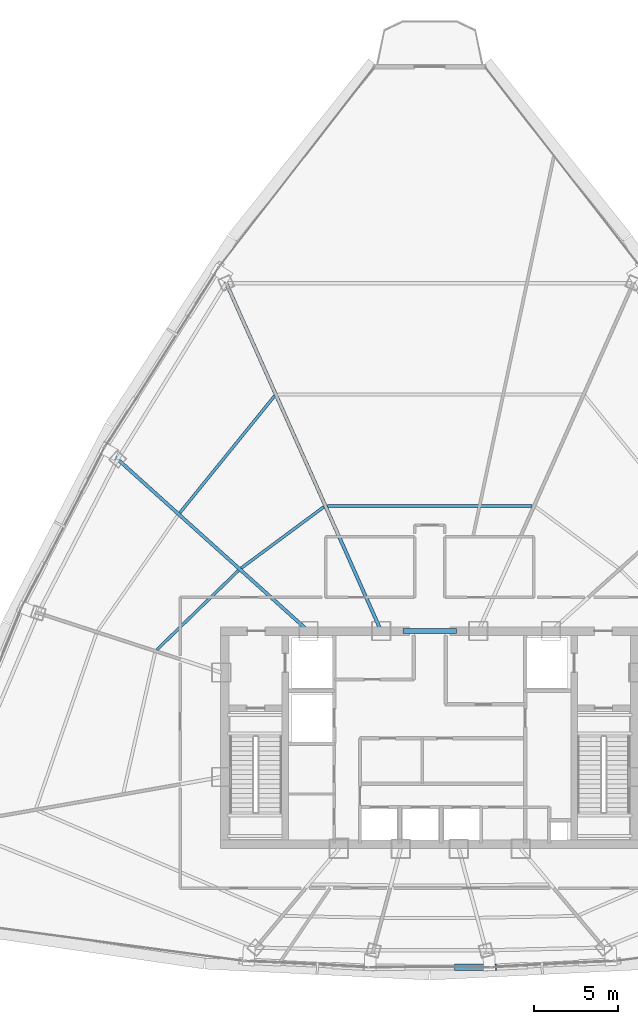
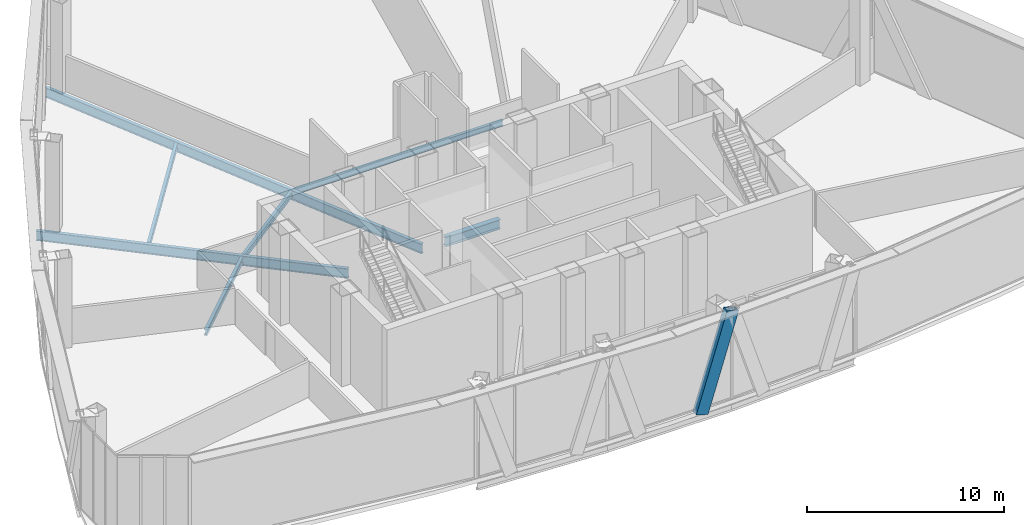
# One storey, part 11 of 33: 7 beams, 1 member.
"""IFC4 building model written with IfcOpenShell, lengths in metres."""

from ifc_helpers import new_model, si_unit, direction, frame, origin, origin_2d, place, context, subcontext, project, spatial, hollow_rectangle, i_section, extrude, source, transform, mapped, material, material_profile, profile_set, type_object, element, save


model = new_model("IFC4")

# Units and contexts
model_context = context("Model", 3, precision=1e-05, world=origin(), true_north=direction((0.0, 1.0)))
body_context = subcontext(model_context, "Body", "Model", "MODEL_VIEW")
ifc_project = project(units=[si_unit("LENGTHUNIT", "METRE"), si_unit("AREAUNIT", "SQUARE_METRE"), si_unit("VOLUMEUNIT", "CUBIC_METRE"), si_unit("PLANEANGLEUNIT", "RADIAN"), si_unit("MASSUNIT", "GRAM", prefix="KILO"), si_unit("THERMODYNAMICTEMPERATUREUNIT", "KELVIN"), si_unit("POWERUNIT", "WATT")], contexts=[model_context])

# Site, building, storey
site_placement = place(None, origin())
site = spatial("IfcSite", under=ifc_project, at=site_placement, CompositionType="ELEMENT")
building_placement = place(site_placement, origin())
building = spatial("IfcBuilding", under=site, at=building_placement, Name="Yunzhuo Pagoda Commons", CompositionType="ELEMENT")
storey_placement = place(building_placement, frame((0.0, 0.0, 314.860107421875)))
storey = spatial("IfcBuildingStorey", under=building, at=storey_placement, Name="L79", CompositionType="ELEMENT", Elevation=314.860107421875)

# Beams
ifc_material_1 = material(Name="Structural steel Q420B", Category="steel")
ifc_material_profile_1 = material_profile(ifc_material_1, i_section(OverallWidth=0.300048828125, OverallDepth=0.587890625, WebThickness=0.011962890625, FlangeThickness=0.02001953125, at=origin_2d()), Name="Structural steel Q420B")
ifc_profile_set_1 = profile_set([ifc_material_profile_1], Name="Structural steel Q420B")
beam_type_1 = type_object("IfcBeamType", Name="B-CPL Beam HM 588x300x12x20", PredefinedType="BEAM", material=ifc_profile_set_1)
shared_shape_1 = source(origin(), body_context, "Body", "SweptSolid", [
    extrude(i_section(OverallWidth=0.300048828125, OverallDepth=0.587890625, WebThickness=0.011962890625, FlangeThickness=0.02001953125, at=origin_2d()), origin(), (0.0, 0.0, 1.0), 3.2001953125),
])
beam_1_placement = place(storey_placement, frame((46.39990234375, 40.199951171875, -0.55419921875), z_axis=(1.0, 0.0, 0.0), x_axis=(0.0, 1.0, 0.0)))
element("IfcBeam", 1, at=beam_1_placement, inside=storey, type_object=beam_type_1, Name="L79 core coupling girder", PredefinedType="BEAM", context=body_context, shape_type="MappedRepresentation", body=[
    mapped(shared_shape_1, transform((0.0, 0.0, 0.0), scale=1.0)),
])
ifc_material_2 = material(Name="Structural steel Q355B", Category="steel")
ifc_material_profile_2 = material_profile(ifc_material_2, i_section(OverallWidth=0.175048828125, OverallDepth=0.35009765625, WebThickness=0.007080078125, FlangeThickness=0.010986328125, at=origin_2d()), Name="Structural steel Q355B")
ifc_profile_set_2 = profile_set([ifc_material_profile_2], Name="Structural steel Q355B")
beam_type_2 = type_object("IfcBeamType", Name="B-JS2 Joist HN 350x175x7x11", PredefinedType="JOIST", material=ifc_profile_set_2)
shared_shape_2 = source(origin(), body_context, "Body", "SweptSolid", [
    extrude(i_section(OverallWidth=0.175048828125, OverallDepth=0.35009765625, WebThickness=0.007080078125, FlangeThickness=0.010986328125, at=origin_2d()), origin(), (0.0, 0.0, 1.0), 6.767333984375),
])
beam_2_placement = place(storey_placement, frame((36.611083984375, 43.80029296875, -0.43505859375), z_axis=(-0.717207253673, -0.696859925149, 0.0), x_axis=(0.696859925149, -0.717207253673, 0.0)))
element("IfcBeam", 2, at=beam_2_placement, inside=storey, type_object=beam_type_2, Name="L79 composite ring joist 1.10", PredefinedType="JOIST", context=body_context, shape_type="MappedRepresentation", body=[
    mapped(shared_shape_2, transform((0.0, 0.0, 0.0), scale=1.0)),
])
shared_shape_3 = source(origin(), body_context, "Body", "SweptSolid", [
    extrude(i_section(OverallWidth=0.175048828125, OverallDepth=0.35009765625, WebThickness=0.007080078125, FlangeThickness=0.010986328125, at=origin_2d()), origin(), (0.0, 0.0, 1.0), 6.109619140625),
])
beam_3_placement = place(storey_placement, frame((41.6943359375, 47.5869140625, -0.43505859375), z_axis=(-0.803396474468, -0.595444459888, 0.0), x_axis=(0.595444459888, -0.803396474468, 0.0)))
element("IfcBeam", 3, at=beam_3_placement, inside=storey, type_object=beam_type_2, Name="L79 composite ring joist 1.9", PredefinedType="JOIST", context=body_context, shape_type="MappedRepresentation", body=[
    mapped(shared_shape_3, transform((0.0, 0.0, 0.0), scale=1.0)),
])
shared_shape_4 = source(origin(), body_context, "Body", "SweptSolid", [
    extrude(i_section(OverallWidth=0.175048828125, OverallDepth=0.35009765625, WebThickness=0.007080078125, FlangeThickness=0.010986328125, at=origin_2d()), origin(), (0.0, 0.0, 1.0), 8.9462890625),
])
beam_4_placement = place(storey_placement, frame((38.763916015625, 54.19287109375, -0.43505859375), z_axis=(-0.629455685791, -0.777036382434, 0.0), x_axis=(0.777036382434, -0.629455685791, 0.0)))
element("IfcBeam", 4, at=beam_4_placement, inside=storey, type_object=beam_type_2, Name="L79 composite ring joist 2.9", PredefinedType="JOIST", context=body_context, shape_type="MappedRepresentation", body=[
    mapped(shared_shape_4, transform((0.0, 0.0, 0.0), scale=1.0)),
])
shared_shape_5 = source(origin(), body_context, "Body", "SweptSolid", [
    extrude(i_section(OverallWidth=0.175048828125, OverallDepth=0.35009765625, WebThickness=0.007080078125, FlangeThickness=0.010986328125, at=origin_2d()), origin(), (0.0, 0.0, 1.0), 12.19677734375),
])
beam_5_placement = place(storey_placement, frame((54.098388671875, 47.6552734375, -0.43505859375), z_axis=(-1.0, 0.0, 0.0), x_axis=(0.0, -1.0, 0.0)))
element("IfcBeam", 5, at=beam_5_placement, inside=storey, type_object=beam_type_2, Name="L79 composite ring joist 1.8", PredefinedType="JOIST", context=body_context, shape_type="MappedRepresentation", body=[
    mapped(shared_shape_5, transform((0.0, 0.0, 0.0), scale=1.0)),
])
ifc_material_profile_3 = material_profile(ifc_material_2, i_section(OverallWidth=0.199951171875, OverallDepth=0.60009765625, WebThickness=0.010986328125, FlangeThickness=0.01708984375, at=origin_2d()), Name="Structural steel Q355B")
ifc_profile_set_3 = profile_set([ifc_material_profile_3], Name="Structural steel Q355B")
beam_type_3 = type_object("IfcBeamType", Name="B-RG3 Beam HN 600x200x11x17", PredefinedType="BEAM", material=ifc_profile_set_3)
shared_shape_6 = source(origin(), body_context, "Body", "SweptSolid", [
    extrude(i_section(OverallWidth=0.199951171875, OverallDepth=0.60009765625, WebThickness=0.010986328125, FlangeThickness=0.01708984375, at=origin_2d()), origin(), (0.0, 0.0, 1.0), 16.173583984375),
])
beam_6_placement = place(storey_placement, frame((28.76171875, 51.022216796875, -0.56005859375), z_axis=(0.743143260476, -0.669132344465, 0.0), x_axis=(0.669132344465, 0.743143260476, 0.0)))
element("IfcBeam", 6, at=beam_6_placement, inside=storey, type_object=beam_type_3, Name="L79 radial floor girder F3C2", PredefinedType="BEAM", context=body_context, shape_type="MappedRepresentation", body=[
    mapped(shared_shape_6, transform((0.0, 0.0, 0.0), scale=1.0)),
])
shared_shape_7 = source(origin(), body_context, "Body", "SweptSolid", [
    extrude(i_section(OverallWidth=0.199951171875, OverallDepth=0.60009765625, WebThickness=0.010986328125, FlangeThickness=0.01708984375, at=origin_2d()), origin(), (0.0, 0.0, 1.0), 23.564208984375),
])
beam_7_placement = place(storey_placement, frame((35.521484375, 61.726806640625, -0.56005859375), z_axis=(0.406740152773, -0.913543895017, 0.0), x_axis=(0.913543895017, 0.406740152773, 0.0)))
element("IfcBeam", 7, at=beam_7_placement, inside=storey, type_object=beam_type_3, Name="L79 radial floor girder F3C1", PredefinedType="BEAM", context=body_context, shape_type="MappedRepresentation", body=[
    mapped(shared_shape_7, transform((0.0, 0.0, 0.0), scale=1.0)),
])

# Member
ifc_material_profile_4 = material_profile(ifc_material_2, hollow_rectangle(XDim=0.3798828125, YDim=0.719970703125, WallThickness=0.02001953125, at=origin_2d()), Name="Structural steel Q355B")
ifc_profile_set_4 = profile_set([ifc_material_profile_4], Name="Structural steel Q355B")
member_type = type_object("IfcMemberType", Name="M-DL3 Brace BOX 720x380x20", PredefinedType="BRACE", material=ifc_profile_set_4)
shared_shape_8 = source(origin(), body_context, "Body", "SweptSolid", [
    extrude(hollow_rectangle(XDim=0.3798828125, YDim=0.719970703125, WallThickness=0.02001953125, at=origin_2d()), origin(), (0.0, 0.0, 1.0), 6.104736328125),
])
member_placement = place(storey_placement, frame((49.81103515625, 20.181640625, -0.260009765625), z_axis=(0.296737563252, 0.0, 0.954959066429), x_axis=(0.0, 1.0, 0.0)))
element("IfcMember", 8, at=member_placement, inside=storey, type_object=member_type, Name="L79 facade diamond brace F1.2R", PredefinedType="BRACE", context=body_context, shape_type="MappedRepresentation", body=[
    mapped(shared_shape_8, transform((0.0, 0.0, 0.0), scale=1.0)),
])

save(model, "model.ifc")
